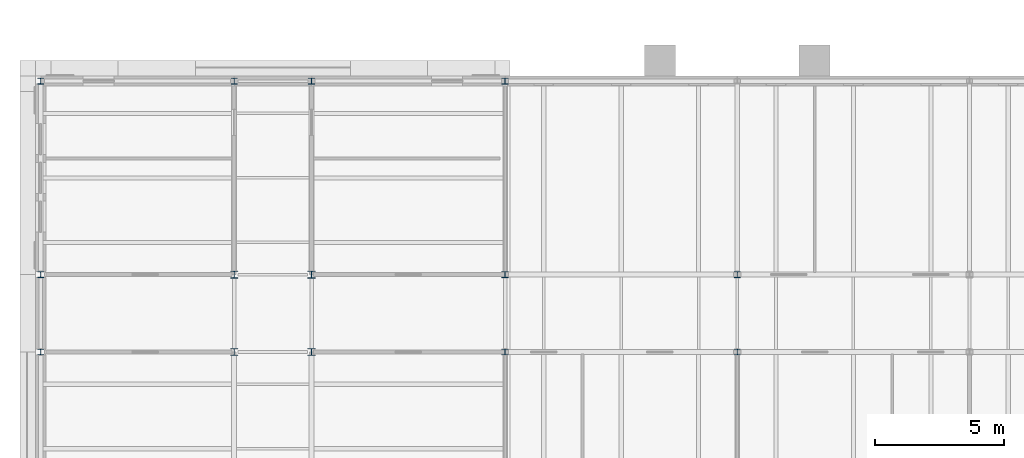
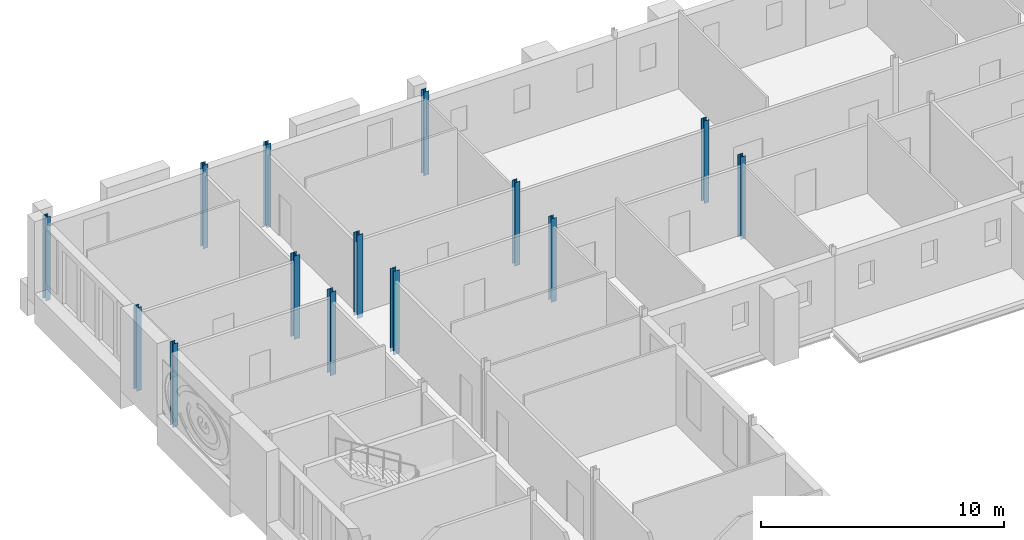
# One storey, part 7 of 121: 14 columns.
"""IFC4 building model written with IfcOpenShell, lengths in metres."""

from ifc_helpers import new_model, si_unit, direction, frame, origin, origin_2d, place, context, subcontext, project, spatial, i_section, extrude, material, material_profile, profile_set, type_object, element, save


model = new_model("IFC4")

# Units and contexts
model_context = context("Model", 3, precision=1e-05, world=origin(), true_north=direction((0.0, 1.0)))
body_context = subcontext(model_context, "Body", "Model", "MODEL_VIEW")
ifc_project = project(units=[si_unit("LENGTHUNIT", "METRE"), si_unit("AREAUNIT", "SQUARE_METRE"), si_unit("VOLUMEUNIT", "CUBIC_METRE"), si_unit("PLANEANGLEUNIT", "RADIAN"), si_unit("MASSUNIT", "GRAM", prefix="KILO")], contexts=[model_context])

# Site, building, storey
site_placement = place(None, origin())
site = spatial("IfcSite", under=ifc_project, at=site_placement, CompositionType="ELEMENT")
building_placement = place(site_placement, origin())
building = spatial("IfcBuilding", under=site, at=building_placement, Name="Golden Quay Civic Hall", CompositionType="ELEMENT")
storey_placement = place(building_placement, frame((0.0, 0.0, 18.60009765625)))
storey = spatial("IfcBuildingStorey", under=building, at=storey_placement, Name="L04", CompositionType="ELEMENT", Elevation=18.60009765625)

# Columns
ifc_material_1 = material(Name="Steel S355", Category="steel")
ifc_material_profile_1 = material_profile(ifc_material_1, i_section(OverallWidth=0.239990234375, OverallDepth=0.22998046875, WebThickness=0.007568359375, FlangeThickness=0.011962890625, FilletRadius=0.02099609375, at=origin_2d()), Name="HEA 240")
ifc_profile_set_1 = profile_set([ifc_material_profile_1], Name="Steel S355")
column_type_1 = type_object("IfcColumnType", Name="Steel column HEA 240", PredefinedType="COLUMN", material=ifc_profile_set_1)
for number, where, z_axis, x_axis, name in (
    (1, (0.0, 70.5, -0.2001953125), (0.0, 0.0, 1.0), (1.0, 0.0, 0.0), "Column 0/70.5 L04"),
    (2, (0.0, 73.5, -0.2001953125), (0.0, 0.0, 1.0), (1.0, 0.0, 0.0), "Column 0/73.5 L04"),
    (3, (0.0, 81.0, -0.2001953125), (0.0, 0.0, 1.0), (1.0, 0.0, 0.0), "Column 0/81 L04"),
    (4, (7.5, 81.0, -0.2001953125), (0.0, 0.0, 1.0), (1.0, 0.0, 0.0), "Column 7.5/81 L04"),
    (5, (10.5, 81.0, -0.2001953125), (0.0, 0.0, 1.0), (1.0, 0.0, 0.0), "Column 10.5/81 L04"),
    (6, (18.0, 70.5, -0.2001953125), (0.0, 0.0, 1.0), (1.0, 0.0, 0.0), "Column 18/70.5 L04"),
    (7, (18.0, 73.5, -0.2001953125), (0.0, 0.0, 1.0), (1.0, 0.0, 0.0), "Column 18/73.5 L04"),
    (8, (18.0, 81.0, -0.2001953125), (0.0, 0.0, 1.0), (1.0, 0.0, 0.0), "Column 18/81 L04"),
):
    element("IfcColumn", number, at=place(storey_placement, frame(where, z_axis=z_axis, x_axis=x_axis)), inside=storey, type_object=column_type_1, Name=name, PredefinedType="COLUMN", context=body_context, shape_type="SweptSolid", body=[
        extrude(i_section(OverallWidth=0.239990234375, OverallDepth=0.22998046875, WebThickness=0.007568359375, FlangeThickness=0.011962890625, FilletRadius=0.02099609375, at=origin_2d()), origin(), (0.0, 0.0, 1.0), 4.2001953125),
    ])
for number, where, z_axis, x_axis, name in (
    (9, (27.0, 70.5, -0.2001953125), (0.0, 0.0, 1.0), (1.0, 0.0, 0.0), "Column 27/70.5 L04"),
    (10, (27.0, 73.5, -0.2001953125), (0.0, 0.0, 1.0), (1.0, 0.0, 0.0), "Column 27/73.5 L04"),
):
    element("IfcColumn", number, at=place(storey_placement, frame(where, z_axis=z_axis, x_axis=x_axis)), inside=storey, type_object=column_type_1, Name=name, PredefinedType="COLUMN", context=body_context, shape_type="SweptSolid", body=[
        extrude(i_section(OverallWidth=0.239990234375, OverallDepth=0.22998046875, WebThickness=0.007568359375, FlangeThickness=0.011962890625, FilletRadius=0.02099609375, at=origin_2d()), origin(), (0.0, 0.0, 1.0), 4.150146484375),
    ])
ifc_material_2 = material(Name="Steel S355", Category="steel")
ifc_material_profile_2 = material_profile(ifc_material_2, i_section(OverallWidth=0.280029296875, OverallDepth=0.27001953125, WebThickness=0.008056640625, FlangeThickness=0.012939453125, FilletRadius=0.02392578125, at=origin_2d()), Name="HEA 280")
ifc_profile_set_2 = profile_set([ifc_material_profile_2], Name="Steel S355")
column_type_2 = type_object("IfcColumnType", Name="Steel column HEA 280", PredefinedType="COLUMN", material=ifc_profile_set_2)
for number, where, z_axis, x_axis, name in (
    (11, (7.5, 70.5, -0.2001953125), (0.0, 0.0, 1.0), (1.0, 0.0, 0.0), "Column 7.5/70.5 L04"),
    (12, (7.5, 73.5, -0.2001953125), (0.0, 0.0, 1.0), (1.0, 0.0, 0.0), "Column 7.5/73.5 L04"),
    (13, (10.5, 70.5, -0.2001953125), (0.0, 0.0, 1.0), (1.0, 0.0, 0.0), "Column 10.5/70.5 L04"),
    (14, (10.5, 73.5, -0.2001953125), (0.0, 0.0, 1.0), (1.0, 0.0, 0.0), "Column 10.5/73.5 L04"),
):
    element("IfcColumn", number, at=place(storey_placement, frame(where, z_axis=z_axis, x_axis=x_axis)), inside=storey, type_object=column_type_2, Name=name, PredefinedType="COLUMN", context=body_context, shape_type="SweptSolid", body=[
        extrude(i_section(OverallWidth=0.280029296875, OverallDepth=0.27001953125, WebThickness=0.008056640625, FlangeThickness=0.012939453125, FilletRadius=0.02392578125, at=origin_2d()), origin(), (0.0, 0.0, 1.0), 4.2001953125),
    ])

save(model, "model.ifc")
